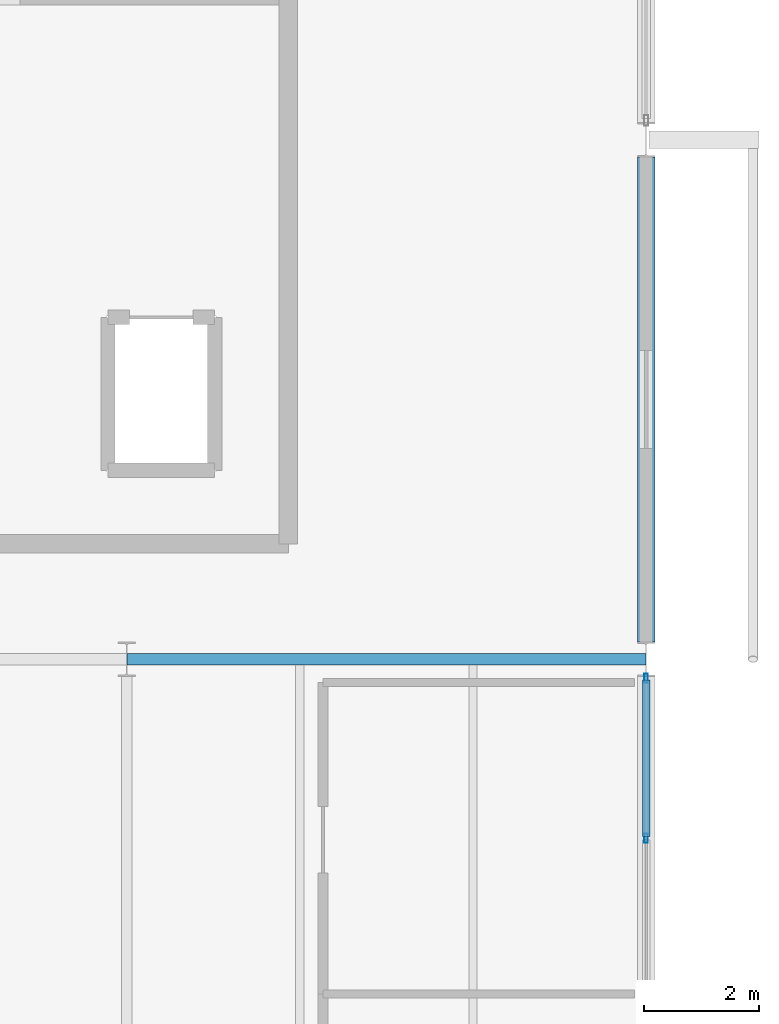
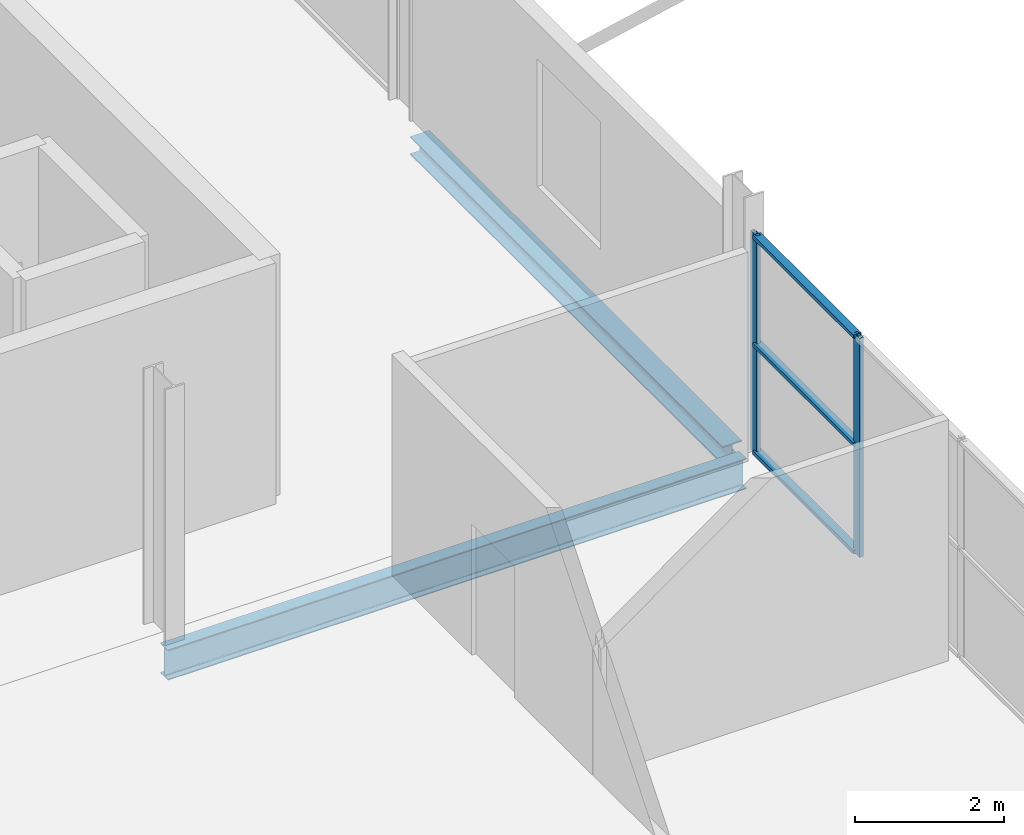
# One storey, part 40 of 59: 5 members, 2 beams, 1 element without a shape of its own.
"""IFC4 building model written with IfcOpenShell, lengths in metres."""

from ifc_helpers import new_model, si_unit, direction, frame, origin, origin_2d, place, context, subcontext, project, spatial, hollow_rectangle, i_section, extrude, material, layer, layer_set, material_profile, profile_set, type_object, element, aggregate, save


model = new_model("IFC4")

# Units and contexts
model_context = context("Model", 3, precision=1e-05, world=origin(), true_north=direction((0.0, 1.0)))
body_context = subcontext(model_context, "Body", "Model", "MODEL_VIEW")
ifc_project = project(units=[si_unit("LENGTHUNIT", "METRE"), si_unit("AREAUNIT", "SQUARE_METRE"), si_unit("VOLUMEUNIT", "CUBIC_METRE"), si_unit("PLANEANGLEUNIT", "RADIAN"), si_unit("MASSUNIT", "GRAM", prefix="KILO")], contexts=[model_context])

# Site, building, storey
site_placement = place(None, origin())
site = spatial("IfcSite", under=ifc_project, at=site_placement, CompositionType="ELEMENT")
building_placement = place(site_placement, origin())
building = spatial("IfcBuilding", under=site, at=building_placement, Name="Deido Ridge Mobility Hub", CompositionType="ELEMENT")
storey_placement = place(building_placement, frame((0.0, 0.0, 21.0)))
storey = spatial("IfcBuildingStorey", under=building, at=storey_placement, Name="L05", CompositionType="ELEMENT", Elevation=21.0)

# Beam
ifc_material_1 = material(Name="Steel S355J2 EN 10025-2", Category="steel")
ifc_material_profile_1 = material_profile(ifc_material_1, i_section(OverallWidth=0.199951171875, OverallDepth=0.5, WebThickness=0.01025390625, FlangeThickness=0.01611328125, FilletRadius=0.02099609375, at=origin_2d()), Name="IPE 500")
ifc_profile_set_1 = profile_set([ifc_material_profile_1], Name="Steel S355J2 EN 10025-2")
beam_type_1 = type_object("IfcBeamType", Name="BM-IPE500", PredefinedType="BEAM", material=ifc_profile_set_1)
beam_1_placement = place(storey_placement, frame((171.0078125, 36.0, -0.4951171875), z_axis=(1.0, 0.0, 0.0), x_axis=(0.0, 1.0, 0.0)))
element("IfcBeam", 1, at=beam_1_placement, inside=storey, type_object=beam_type_1, Name="Floor beam B3", PredefinedType="BEAM", context=body_context, shape_type="SweptSolid", body=[
    extrude(i_section(OverallWidth=0.199951171875, OverallDepth=0.5, WebThickness=0.01025390625, FlangeThickness=0.01611328125, FilletRadius=0.02099609375, at=origin_2d()), origin(), (0.0, 0.0, 1.0), 8.984375),
])

# Curtain wall, members
ifc_material_2 = material(Name="Anodised aluminium EN AW-6063 T6", Category="aluminium")
ifc_layer = layer(ifc_material_2, 0.195068359375, Name="Anodised aluminium EN AW-6063 T6")
ifc_layer_set = layer_set([ifc_layer], Name="Anodised aluminium EN AW-6063 T6")
curtain_wall_type = type_object("IfcCurtainWallType", Name="CW-UF-3", PredefinedType="USERDEFINED", material=ifc_layer_set)
curtain_wall_placement = place(storey_placement, origin())
curtain_wall = element("IfcCurtainWall", 2, at=curtain_wall_placement, inside=storey, type_object=curtain_wall_type, Name="Unitised curtain wall CW3", ObjectType="UNITISED FACADE", PredefinedType="USERDEFINED")
ifc_material_profile_2 = material_profile(ifc_material_2, hollow_rectangle(XDim=0.06005859375, YDim=0.159912109375, WallThickness=0.00390625, at=origin_2d()), Name="RHS 60x160x4")
ifc_profile_set_2 = profile_set([ifc_material_profile_2], Name="Anodised aluminium EN AW-6063 T6")
member_type_1 = type_object("IfcMemberType", Name="MEM-MUL-60X160", PredefinedType="MULLION", material=ifc_profile_set_2)
member_1_placement = place(storey_placement, frame((180.0, 32.89990234375, 0.0), z_axis=(0.0, 0.0, 1.0), x_axis=(-1.0, 0.0, 0.0)))
member_1 = element("IfcMember", 3, at=member_1_placement, type_object=member_type_1, Name="CW3 mullion 3", PredefinedType="MULLION", context=body_context, shape_type="SweptSolid", body=[
    extrude(hollow_rectangle(XDim=0.06005859375, YDim=0.159912109375, WallThickness=0.00390625, at=origin_2d()), origin(), (0.0, 0.0, 1.0), 3.60009765625),
])
member_2_placement = place(storey_placement, frame((180.0, 35.669921875, 0.0), z_axis=(0.0, 0.0, 1.0), x_axis=(-1.0, 0.0, 0.0)))
member_2 = element("IfcMember", 4, at=member_2_placement, type_object=member_type_1, Name="CW3 mullion 4", PredefinedType="MULLION", context=body_context, shape_type="SweptSolid", body=[
    extrude(hollow_rectangle(XDim=0.06005859375, YDim=0.159912109375, WallThickness=0.00390625, at=origin_2d()), origin(), (0.0, 0.0, 1.0), 3.60009765625),
])
ifc_material_profile_3 = material_profile(ifc_material_2, hollow_rectangle(XDim=0.125, YDim=0.06005859375, WallThickness=0.00390625, at=origin_2d()), Name="RHS 125x60x4")
ifc_profile_set_3 = profile_set([ifc_material_profile_3], Name="Anodised aluminium EN AW-6063 T6")
member_type_2 = type_object("IfcMemberType", Name="MEM-TRN-125X60", PredefinedType="USERDEFINED", material=ifc_profile_set_3)
member_3_placement = place(storey_placement, frame((180.0, 32.929931640625, 0.030029296875), z_axis=(0.0, 1.0, 0.0), x_axis=(-1.0, 0.0, 0.0)))
member_3 = element("IfcMember", 5, at=member_3_placement, type_object=member_type_2, Name="CW3 transom 3.1", ObjectType="TRANSOM", PredefinedType="USERDEFINED", context=body_context, shape_type="SweptSolid", body=[
    extrude(hollow_rectangle(XDim=0.125, YDim=0.06005859375, WallThickness=0.00390625, at=origin_2d()), origin(), (0.0, 0.0, 1.0), 2.7099609375),
])
member_4_placement = place(storey_placement, frame((180.0, 32.929931640625, 1.800048828125), z_axis=(0.0, 1.0, 0.0), x_axis=(-1.0, 0.0, 0.0)))
member_4 = element("IfcMember", 6, at=member_4_placement, type_object=member_type_2, Name="CW3 transom 3.2", ObjectType="TRANSOM", PredefinedType="USERDEFINED", context=body_context, shape_type="SweptSolid", body=[
    extrude(hollow_rectangle(XDim=0.125, YDim=0.06005859375, WallThickness=0.00390625, at=origin_2d()), origin(), (0.0, 0.0, 1.0), 2.7099609375),
])
member_5_placement = place(storey_placement, frame((180.0, 32.929931640625, 3.570068359375), z_axis=(0.0, 1.0, 0.0), x_axis=(-1.0, 0.0, 0.0)))
member_5 = element("IfcMember", 7, at=member_5_placement, type_object=member_type_2, Name="CW3 transom 3.3", ObjectType="TRANSOM", PredefinedType="USERDEFINED", context=body_context, shape_type="SweptSolid", body=[
    extrude(hollow_rectangle(XDim=0.125, YDim=0.06005859375, WallThickness=0.00390625, at=origin_2d()), origin(), (0.0, 0.0, 1.0), 2.7099609375),
])
aggregate(curtain_wall, [member_1, member_2, member_3, member_4, member_5])

# Beam
ifc_material_profile_4 = material_profile(ifc_material_1, i_section(OverallWidth=0.300048828125, OverallDepth=0.300048828125, WebThickness=0.010986328125, FlangeThickness=0.01904296875, FilletRadius=0.027099609375, at=origin_2d()), Name="HEB 300")
ifc_profile_set_4 = profile_set([ifc_material_profile_4], Name="Steel S355J2 EN 10025-2")
beam_type_2 = type_object("IfcBeamType", Name="SPD-HEB300", PredefinedType="SPANDREL", material=ifc_profile_set_4)
beam_2_placement = place(storey_placement, frame((180.0, 36.300048828125, -0.39501953125), z_axis=(0.0, 1.0, 0.0), x_axis=(-1.0, 0.0, 0.0)))
element("IfcBeam", 8, at=beam_2_placement, inside=storey, type_object=beam_type_2, Name="Floor beam SP1", PredefinedType="SPANDREL", context=body_context, shape_type="SweptSolid", body=[
    extrude(i_section(OverallWidth=0.300048828125, OverallDepth=0.300048828125, WebThickness=0.010986328125, FlangeThickness=0.01904296875, FilletRadius=0.027099609375, at=origin_2d()), origin(), (0.0, 0.0, 1.0), 8.39990234375),
])

save(model, "model.ifc")
